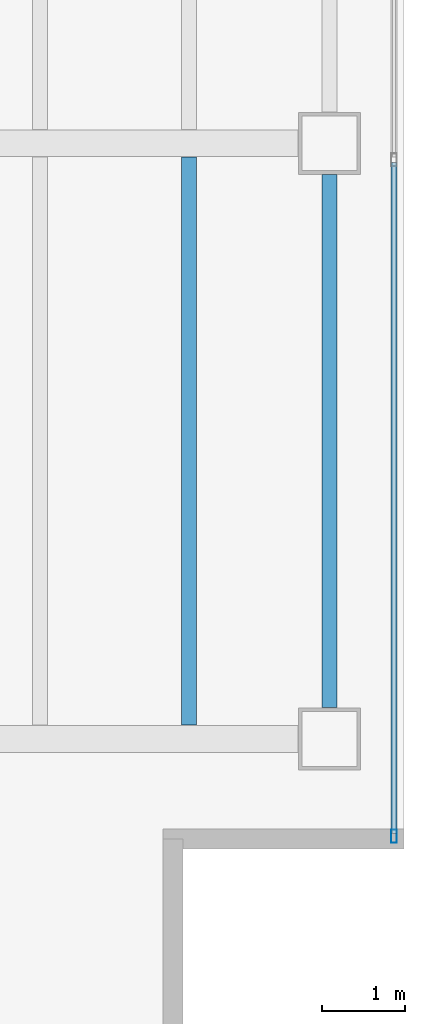
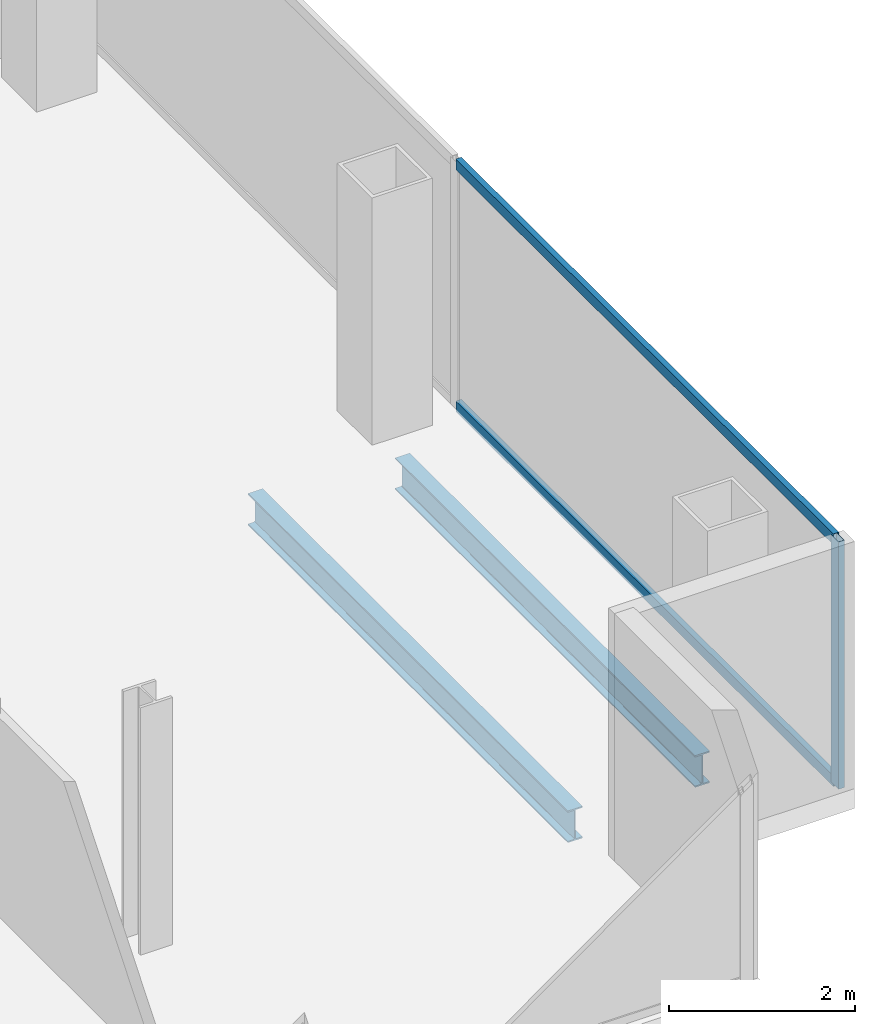
# One storey, part 12 of 23: 3 members, 2 beams, 1 element without a shape of its own.
"""IFC4 building model written with IfcOpenShell, lengths in metres."""

import ifcopenshell
import ifcopenshell.guid

model = None  # the IFC model being written
_history = None  # IfcOwnerHistory: only IFC2X3 demands one
_inside = {}  # id of a spatial element -> (the spatial element, [elements in it])
_under = {}  # id of a project, library or spatial element -> (it, [spatial elements below it])
_declared = {}  # id of a project -> (the project, [libraries it declares])
_typed = {}  # id of a type object -> (the type object, [elements of that type])
_made_of = {}  # id of a material, layer set ... -> (it, [elements and type objects made of it])


def new_model(schema):
    """Start an empty IFC model of exactly this schema.

    Asked for "IFC4X3", IfcOpenShell would pick the latest addendum, in which some entities
    have other attributes; the version numbers below select the first issue.
    IFC2X3 requires an IfcOwnerHistory on every rooted entity: one is made here for all.
    """
    global model, _history
    if schema == "IFC4X3":
        model = ifcopenshell.file(schema_version=(4, 3, 0, 0))
    else:
        model = ifcopenshell.file(schema=schema)
    _inside.clear()
    _under.clear()
    _declared.clear()
    _typed.clear()
    _made_of.clear()
    _history = None
    if model.schema == "IFC2X3":
        org = make("IfcOrganization", Name="unknown")
        user = make(
            "IfcPersonAndOrganization",
            ThePerson=make("IfcPerson", FamilyName="unknown"),
            TheOrganization=org,
        )
        app = make(
            "IfcApplication",
            ApplicationDeveloper=org,
            Version="unknown",
            ApplicationFullName="unknown",
            ApplicationIdentifier="unknown",
        )
        _history = make(
            "IfcOwnerHistory",
            OwningUser=user,
            OwningApplication=app,
            ChangeAction="ADDED",
            CreationDate=0,
        )
    return model


def make(cls, **values):
    """One entity of the class cls with the attributes given. An attribute that is None is left unset."""
    return model.create_entity(
        cls, **{name: value for name, value in values.items() if value is not None}
    )


def rooted(cls, **values):
    """An entity with a GlobalId (a new one), such as an element, a storey or a relation."""
    return make(cls, GlobalId=ifcopenshell.guid.new(), OwnerHistory=_history, **values)


def si_unit(unit_type, name, prefix=None):
    """IfcSIUnit, for example si_unit("LENGTHUNIT", "METRE", prefix="MILLI")."""
    return make("IfcSIUnit", UnitType=unit_type, Prefix=prefix, Name=name)


def assignment(units):
    """IfcUnitAssignment: the units of a project."""
    return None if units is None else make("IfcUnitAssignment", Units=units)


def point(xyz):
    """IfcCartesianPoint."""
    return None if xyz is None else make("IfcCartesianPoint", Coordinates=xyz)


def direction(xyz):
    """IfcDirection."""
    return None if xyz is None else make("IfcDirection", DirectionRatios=xyz)


def frame(location, z_axis=None, x_axis=None):
    """IfcAxis2Placement3D, a coordinate frame: its origin and axes. An axis left out is left unset."""
    return make(
        "IfcAxis2Placement3D",
        Location=point(location),
        Axis=direction(z_axis),
        RefDirection=direction(x_axis),
    )


def frame_2d(location, x_axis=None):
    """IfcAxis2Placement2D, a coordinate frame in the plane: its origin and x axis."""
    return make(
        "IfcAxis2Placement2D", Location=point(location), RefDirection=direction(x_axis)
    )


def origin():
    """The frame at (0, 0, 0) with its axes left unset."""
    return frame((0.0, 0.0, 0.0))


def origin_2d():
    """The frame at (0, 0) in the plane with its x axis left unset."""
    return frame_2d((0.0, 0.0))


def place(relative_to, where):
    """IfcLocalPlacement: puts the frame where relative to a parent placement (None: the world)."""
    return make(
        "IfcLocalPlacement", PlacementRelTo=relative_to, RelativePlacement=where
    )


def context(
    kind, dimensions, precision=None, world=None, true_north=None, identifier=None
):
    """IfcGeometricRepresentationContext, for example the 3D "Model" context."""
    return make(
        "IfcGeometricRepresentationContext",
        ContextIdentifier=identifier,
        ContextType=kind,
        CoordinateSpaceDimension=dimensions,
        Precision=precision,
        WorldCoordinateSystem=world,
        TrueNorth=true_north,
    )


def subcontext(parent, identifier, kind, view, scale=None):
    """IfcGeometricRepresentationSubContext, for example "Body" below "Model"."""
    return make(
        "IfcGeometricRepresentationSubContext",
        ContextIdentifier=identifier,
        ContextType=kind,
        ParentContext=parent,
        TargetScale=scale,
        TargetView=view,
    )


def project(units=None, contexts=None):
    """IfcProject with its units and contexts."""
    return rooted(
        "IfcProject",
        Name="project",
        RepresentationContexts=contexts,
        UnitsInContext=assignment(units),
    )


def spatial(cls, under=None, at=None, **own):
    """A site, building, storey or space (cls), placed at a placement, below another one or the project."""
    s = rooted(cls, ObjectPlacement=at, **own)
    if under is not None:
        _under.setdefault(under.id(), (under, []))[1].append(s)
    return s


def profile(cls, at=None, kind="AREA", **sizes):
    """A parametric profile (cls). Its sizes go by their IFC names, for example OverallWidth=200.0."""
    return make(cls, ProfileType=kind, Position=at, **sizes)


def hollow_rectangle(**sizes):
    """IfcRectangleHollowProfileDef."""
    return profile("IfcRectangleHollowProfileDef", **sizes)


def i_section(**sizes):
    """IfcIShapeProfileDef."""
    return profile("IfcIShapeProfileDef", **sizes)


def extrude(swept, where, along, depth):
    """IfcExtrudedAreaSolid: the profile swept, set in the frame where, extruded along a direction by depth."""
    return make(
        "IfcExtrudedAreaSolid",
        SweptArea=swept,
        Position=where,
        ExtrudedDirection=direction(along),
        Depth=depth,
    )


def shape(context_of_items, identifier, shape_type, items):
    """IfcShapeRepresentation: the items that make up one representation, for example the "Body"."""
    return make(
        "IfcShapeRepresentation",
        ContextOfItems=context_of_items,
        RepresentationIdentifier=identifier,
        RepresentationType=shape_type,
        Items=items,
    )


def material(Name=None, Category=None):
    """IfcMaterial."""
    return make("IfcMaterial", Name=Name, Category=Category)


def material_profile(
    of_material, cross_section, Name=None, Category=None, Priority=None
):
    """IfcMaterialProfile: a cross section and its material."""
    return make(
        "IfcMaterialProfile",
        Name=Name,
        Material=of_material,
        Profile=cross_section,
        Priority=Priority,
        Category=Category,
    )


def profile_set(profiles, Name=None, composite=None):
    """IfcMaterialProfileSet."""
    return make(
        "IfcMaterialProfileSet",
        Name=Name,
        MaterialProfiles=profiles,
        CompositeProfile=composite,
    )


def made_of(thing, what):
    """Note that an element or type object is made of a material, layer set ...; save() writes the relation."""
    if what is not None:
        _made_of.setdefault(what.id(), (what, []))[1].append(thing)
    return thing


def type_object(cls, material=None, **own):
    """A type object (cls), such as IfcWallType, which elements share."""
    return made_of(rooted(cls, **own), material)


def element(
    cls,
    number,
    at=None,
    inside=None,
    cuts=None,
    type_object=None,
    material=None,
    context=None,
    identifier="Body",
    shape_type=None,
    held_by="IfcProductDefinitionShape",
    body=None,
    shapes=None,
    **own,
):
    """One element of the class cls, such as IfcWall. Its Tag is "e" and its number.

    at: its placement. inside: the storey or other place that contains it. cuts: it is an
    opening in that element (IfcRelVoidsElement). A single representation is given by context,
    identifier, shape_type and body (its items); several are given by shapes. held_by: the class
    of the entity that holds the representations. save() writes the other relations.
    """
    e = rooted(cls, Tag="e%d" % number, ObjectPlacement=at, **own)
    if body is not None:
        shapes = [shape(context, identifier, shape_type, body)]
    if shapes is not None:
        e.Representation = make(held_by, Representations=shapes)
    if inside is not None:
        _inside.setdefault(inside.id(), (inside, []))[1].append(e)
    if cuts is not None:
        rooted(
            "IfcRelVoidsElement", RelatingBuildingElement=cuts, RelatedOpeningElement=e
        )
    if type_object is not None:
        _typed.setdefault(type_object.id(), (type_object, []))[1].append(e)
    return made_of(e, material)


def aggregate(whole, parts):
    """IfcRelAggregates: a whole, such as a stair, and the parts it consists of."""
    return rooted("IfcRelAggregates", RelatingObject=whole, RelatedObjects=parts)


def save(model, path):
    """Write the relations noted so far, then the file.

    IfcRelAggregates (storeys below a building ...), IfcRelContainedInSpatialStructure (elements
    in a storey), IfcRelDefinesByType, IfcRelAssociatesMaterial and IfcRelDeclares: one each for
    every whole, place, type object, material and project.
    """
    for whole, parts in _under.values():
        aggregate(whole, parts)
    for where, things in _inside.values():
        rooted(
            "IfcRelContainedInSpatialStructure",
            RelatedElements=things,
            RelatingStructure=where,
        )
    for kind, things in _typed.values():
        rooted("IfcRelDefinesByType", RelatedObjects=things, RelatingType=kind)
    for what, things in _made_of.values():
        rooted("IfcRelAssociatesMaterial", RelatedObjects=things, RelatingMaterial=what)
    for by, libraries in _declared.values():
        rooted("IfcRelDeclares", RelatingContext=by, RelatedDefinitions=libraries)
    model.write(path)


model = new_model("IFC4")

# Units and contexts
model_context = context("Model", 3, precision=1e-05, world=origin(), true_north=direction((0.0, 1.0)))
body_context = subcontext(model_context, "Body", "Model", "MODEL_VIEW")
ifc_project = project(units=[si_unit("LENGTHUNIT", "METRE"), si_unit("AREAUNIT", "SQUARE_METRE"), si_unit("VOLUMEUNIT", "CUBIC_METRE"), si_unit("PLANEANGLEUNIT", "RADIAN"), si_unit("MASSUNIT", "GRAM", prefix="KILO")], contexts=[model_context])

# Site, building, storey
site_placement = place(None, origin())
site = spatial("IfcSite", under=ifc_project, at=site_placement, CompositionType="ELEMENT")
building_placement = place(site_placement, origin())
building = spatial("IfcBuilding", under=site, at=building_placement, Name="Cobrela Telecom Tower", CompositionType="ELEMENT")
storey_placement = place(building_placement, frame((0.0, 0.0, 222.25)))
storey = spatial("IfcBuildingStorey", under=building, at=storey_placement, Name="L57", CompositionType="ELEMENT", Elevation=222.25)

# Beams
ifc_material_1 = material(Name="Steel ASTM A992 Grade 50", Category="steel")
ifc_material_profile_1 = material_profile(ifc_material_1, i_section(OverallWidth=0.179931640625, OverallDepth=0.4169921875, WebThickness=0.010986328125, FlangeThickness=0.01806640625, FilletRadius=0.011962890625, at=origin_2d()), Name="W16X57")
ifc_profile_set_1 = profile_set([ifc_material_profile_1], Name="Steel ASTM A992 Grade 50")
beam_type_1 = type_object("IfcBeamType", Name="BM-JOIST-04", PredefinedType="JOIST", material=ifc_profile_set_1)
beam_1_placement = place(storey_placement, frame((41.39990234375, 7.367431640625, -0.468505859375), z_axis=(0.0, 1.0, 0.0), x_axis=(-1.0, 0.0, 0.0)))
element("IfcBeam", 1, at=beam_1_placement, inside=storey, type_object=beam_type_1, Name="L57 Secondary Composite Floor Beam J29", PredefinedType="JOIST", context=body_context, shape_type="SweptSolid", body=[
    extrude(i_section(OverallWidth=0.179931640625, OverallDepth=0.4169921875, WebThickness=0.010986328125, FlangeThickness=0.01806640625, FilletRadius=0.011962890625, at=origin_2d()), origin(), (0.0, 0.0, 1.0), 6.864990234375),
])
ifc_material_profile_2 = material_profile(ifc_material_1, i_section(OverallWidth=0.179931640625, OverallDepth=0.4169921875, WebThickness=0.010986328125, FlangeThickness=0.01806640625, FilletRadius=0.011962890625, at=origin_2d()), Name="W16X57")
ifc_profile_set_2 = profile_set([ifc_material_profile_2], Name="Steel ASTM A992 Grade 50")
beam_type_2 = type_object("IfcBeamType", Name="BM-SPAND-06", PredefinedType="SPANDREL", material=ifc_profile_set_2)
beam_2_placement = place(storey_placement, frame((43.10009765625, 7.580078125, -0.468505859375), z_axis=(0.0, 1.0, 0.0), x_axis=(-1.0, 0.0, 0.0)))
element("IfcBeam", 2, at=beam_2_placement, inside=storey, type_object=beam_type_2, Name="L57 Perimeter Spandrel Y42", PredefinedType="SPANDREL", context=body_context, shape_type="SweptSolid", body=[
    extrude(i_section(OverallWidth=0.179931640625, OverallDepth=0.4169921875, WebThickness=0.010986328125, FlangeThickness=0.01806640625, FilletRadius=0.011962890625, at=origin_2d()), origin(), (0.0, 0.0, 1.0), 6.43994140625),
])

# Curtain wall, members
ifc_material_2 = material(Name="Anodized Bronze Aluminium 6063-T6", Category="aluminium")
curtain_wall_type = type_object("IfcCurtainWallType", Name="CW-SYS-OFF-LO", PredefinedType="USERDEFINED", material=ifc_material_2)
curtain_wall_placement = place(storey_placement, origin())
curtain_wall = element("IfcCurtainWall", 3, at=curtain_wall_placement, inside=storey, type_object=curtain_wall_type, Name="L57 Unitised Bronze Curtain Wall 14", ObjectType="UNITISED CURTAIN WALL", PredefinedType="USERDEFINED")
ifc_material_profile_3 = material_profile(ifc_material_2, hollow_rectangle(XDim=0.070068359375, YDim=0.159912109375, WallThickness=0.00390625, at=origin_2d()), Name="ALU 70x160x4")
ifc_profile_set_3 = profile_set([ifc_material_profile_3], Name="Anodized Bronze Aluminium 6063-T6")
member_type_1 = type_object("IfcMemberType", Name="CW-SYS-OFF-LO-MUL", PredefinedType="MULLION", material=ifc_profile_set_3)
member_1_placement = place(storey_placement, frame((43.8798828125, 6.02490234375, 0.0), z_axis=(0.0, 0.0, 1.0), x_axis=(1.0, 0.0, 0.0)))
member_1 = element("IfcMember", 4, at=member_1_placement, type_object=member_type_1, Name="CW-OFF-LO mullion 3", PredefinedType="MULLION", context=body_context, shape_type="SweptSolid", body=[
    extrude(hollow_rectangle(XDim=0.070068359375, YDim=0.159912109375, WallThickness=0.00390625, at=origin_2d()), origin(), (0.0, 0.0, 1.0), 3.239990234375),
])
ifc_material_profile_4 = material_profile(ifc_material_2, hollow_rectangle(XDim=0.070068359375, YDim=0.139892578125, WallThickness=0.00390625, at=origin_2d()), Name="ALU 70x140x4")
ifc_profile_set_4 = profile_set([ifc_material_profile_4], Name="Anodized Bronze Aluminium 6063-T6")
member_type_2 = type_object("IfcMemberType", Name="CW-SYS-OFF-LO-TRN", PredefinedType="USERDEFINED", material=ifc_profile_set_4)
member_2_placement = place(storey_placement, frame((43.8798828125, 14.1650390625, 0.034912109375), z_axis=(0.0, -1.0, 0.0), x_axis=(1.0, 0.0, 0.0)))
member_2 = element("IfcMember", 5, at=member_2_placement, type_object=member_type_2, Name="CW-OFF-LO transom 2.1", ObjectType="TRANSOM", PredefinedType="USERDEFINED", context=body_context, shape_type="SweptSolid", body=[
    extrude(hollow_rectangle(XDim=0.070068359375, YDim=0.139892578125, WallThickness=0.00390625, at=origin_2d()), origin(), (0.0, 0.0, 1.0), 8.10498046875),
])
member_3_placement = place(storey_placement, frame((43.8798828125, 14.1650390625, 3.205078125), z_axis=(0.0, -1.0, 0.0), x_axis=(1.0, 0.0, 0.0)))
member_3 = element("IfcMember", 6, at=member_3_placement, type_object=member_type_2, Name="CW-OFF-LO transom 2.2", ObjectType="TRANSOM", PredefinedType="USERDEFINED", context=body_context, shape_type="SweptSolid", body=[
    extrude(hollow_rectangle(XDim=0.070068359375, YDim=0.139892578125, WallThickness=0.00390625, at=origin_2d()), origin(), (0.0, 0.0, 1.0), 8.10498046875),
])
aggregate(curtain_wall, [member_1, member_2, member_3])

save(model, "model.ifc")
